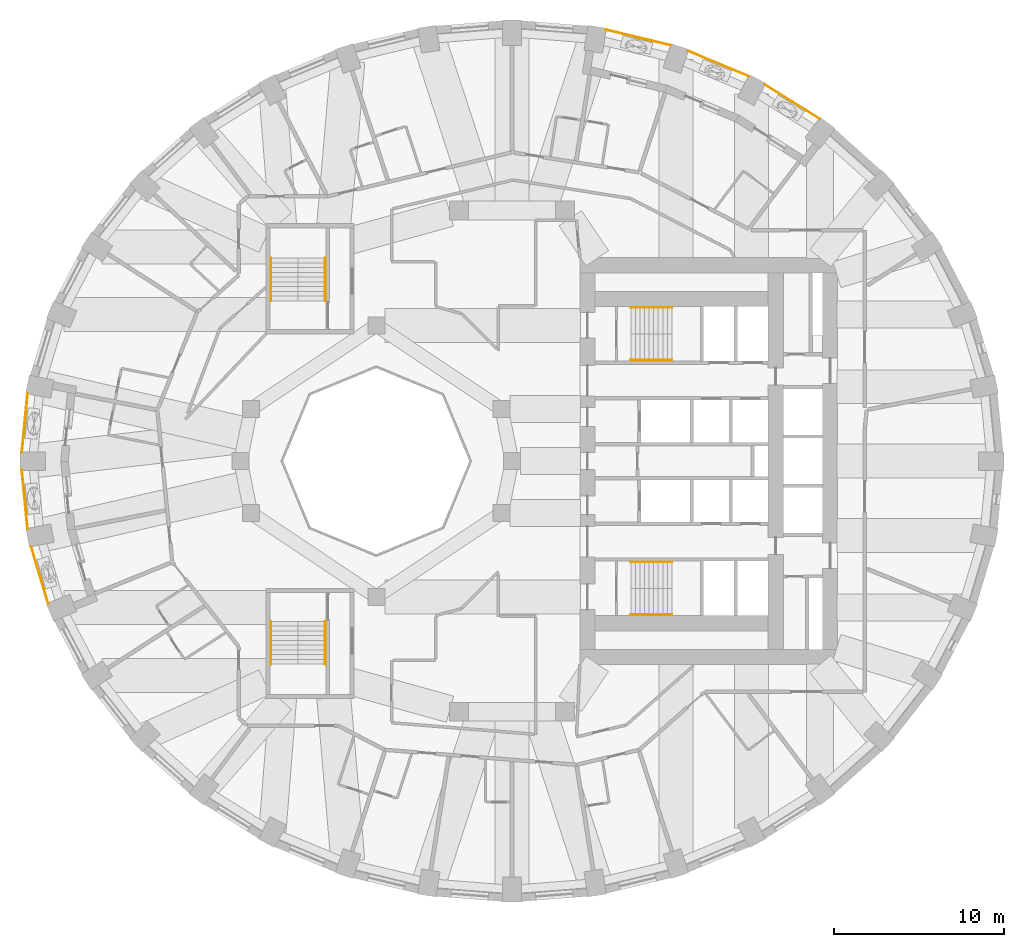
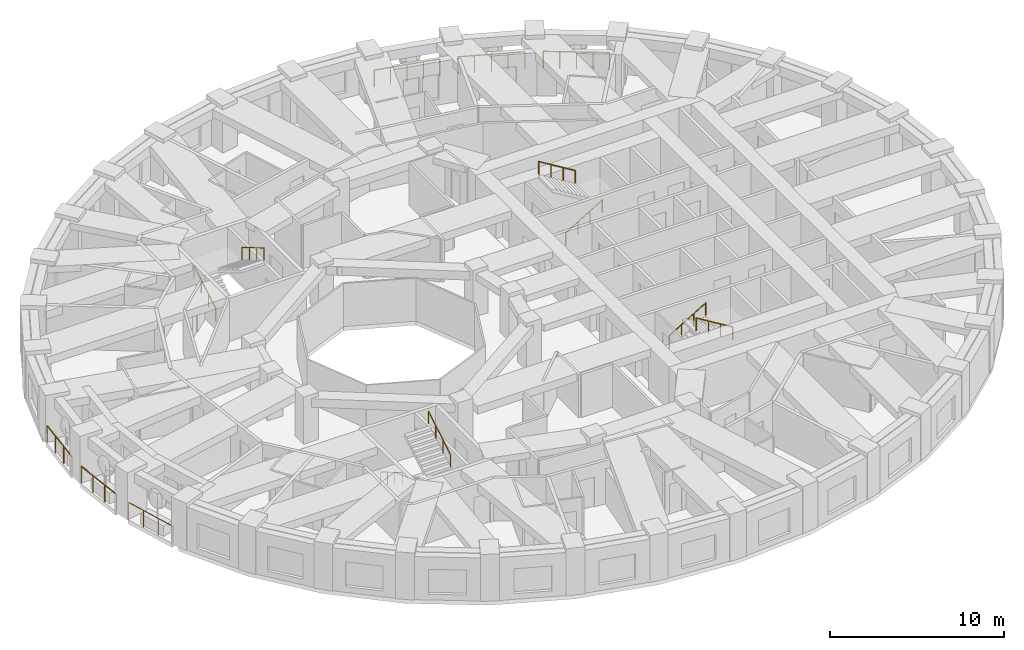
# One storey, part 11 of 13: 14 railings.
"""IFC4 building model written with IfcOpenShell, lengths in metres."""

from ifc_helpers import new_model, si_unit, direction, frame, origin, origin_2d, place, context, subcontext, project, spatial, circle, extrude, material, type_object, element, save


model = new_model("IFC4")

# Units and contexts
model_context = context("Model", 3, precision=1e-05, world=origin(), true_north=direction((0.0, 1.0)))
body_context = subcontext(model_context, "Body", "Model", "MODEL_VIEW")
ifc_project = project(units=[si_unit("LENGTHUNIT", "METRE"), si_unit("AREAUNIT", "SQUARE_METRE"), si_unit("VOLUMEUNIT", "CUBIC_METRE"), si_unit("PLANEANGLEUNIT", "RADIAN"), si_unit("MASSUNIT", "GRAM", prefix="KILO")], contexts=[model_context])

# Site, building, storey
site_placement = place(None, origin())
site = spatial("IfcSite", under=ifc_project, at=site_placement, CompositionType="ELEMENT")
building_placement = place(site_placement, origin())
building = spatial("IfcBuilding", under=site, at=building_placement, Name="Taillehof Tower", CompositionType="ELEMENT")
storey_placement = place(building_placement, frame((0.0, 0.0, 67.89990234375)))
storey = spatial("IfcBuildingStorey", under=building, at=storey_placement, Name="L18", CompositionType="ELEMENT", Elevation=67.89990234375)

# Railings
ifc_material_1 = material(Name="Stainless steel balustrade", Category="steel")
railing_type_1 = type_object("IfcRailingType", Name="Balcony guard 1200", PredefinedType="GUARDRAIL", material=ifc_material_1)
railing_1_placement = place(storey_placement, frame((-28.549560546875, 3.987548828125, 0.0)))
element("IfcRailing", 1, at=railing_1_placement, inside=storey, type_object=railing_type_1, Name="Balcony guard L18 bay 18", PredefinedType="GUARDRAIL", context=body_context, shape_type="SweptSolid", body=[
    extrude(circle(Radius=0.02392578125, at=origin_2d()), frame((0.0, 0.0, 1.17578125), z_axis=(-0.097402182783, -0.995245102871, 0.0), x_axis=(0.995245102871, -0.097402182783, 0.0)), (0.0, 0.0, 1.0), 3.47412109375),
    extrude(circle(Radius=0.02099609375, at=origin_2d()), origin(), (0.0, 0.0, 1.0), 1.15185546875),
    extrude(circle(Radius=0.02099609375, at=origin_2d()), frame((-0.11279296875, -1.152587890625, 0.0)), (0.0, 0.0, 1.0), 1.15185546875),
    extrude(circle(Radius=0.02099609375, at=origin_2d()), frame((-0.2255859375, -2.304931640625, 0.0)), (0.0, 0.0, 1.0), 1.15185546875),
    extrude(circle(Radius=0.02099609375, at=origin_2d()), frame((-0.33837890625, -3.45751953125, 0.0)), (0.0, 0.0, 1.0), 1.15185546875),
])
railing_2_placement = place(storey_placement, frame((-28.887939453125, -0.530029296875, 0.0)))
element("IfcRailing", 2, at=railing_2_placement, inside=storey, type_object=railing_type_1, Name="Balcony guard L18 bay 19", PredefinedType="GUARDRAIL", context=body_context, shape_type="SweptSolid", body=[
    extrude(circle(Radius=0.02392578125, at=origin_2d()), frame((0.0, 0.0, 1.17578125), z_axis=(0.097402182783, -0.995245102871, 0.0), x_axis=(0.995245102871, 0.097402182783, 0.0)), (0.0, 0.0, 1.0), 3.47412109375),
    extrude(circle(Radius=0.02099609375, at=origin_2d()), origin(), (0.0, 0.0, 1.0), 1.15185546875),
    extrude(circle(Radius=0.02099609375, at=origin_2d()), frame((0.11279296875, -1.152587890625, 0.0)), (0.0, 0.0, 1.0), 1.15185546875),
    extrude(circle(Radius=0.02099609375, at=origin_2d()), frame((0.2255859375, -2.304931640625, 0.0)), (0.0, 0.0, 1.0), 1.15185546875),
    extrude(circle(Radius=0.02099609375, at=origin_2d()), frame((0.33837890625, -3.45751953125, 0.0)), (0.0, 0.0, 1.0), 1.15185546875),
])
railing_3_placement = place(storey_placement, frame((-28.3447265625, -5.02783203125, 0.0)))
element("IfcRailing", 3, at=railing_3_placement, inside=storey, type_object=railing_type_1, Name="Balcony guard L18 bay 20", PredefinedType="GUARDRAIL", context=body_context, shape_type="SweptSolid", body=[
    extrude(circle(Radius=0.02392578125, at=origin_2d()), frame((0.0, 0.0, 1.17578125), z_axis=(0.287098668231, -0.957901015085, 0.0), x_axis=(0.957901015085, 0.287098668231, 0.0)), (0.0, 0.0, 1.0), 3.505126953125),
    extrude(circle(Radius=0.02099609375, at=origin_2d()), origin(), (0.0, 0.0, 1.0), 1.15185546875),
    extrude(circle(Radius=0.02099609375, at=origin_2d()), frame((0.33544921875, -1.119140625, 0.0)), (0.0, 0.0, 1.0), 1.15185546875),
    extrude(circle(Radius=0.02099609375, at=origin_2d()), frame((0.6708984375, -2.238525390625, 0.0)), (0.0, 0.0, 1.0), 1.15185546875),
    extrude(circle(Radius=0.02099609375, at=origin_2d()), frame((1.00634765625, -3.357666015625, 0.0)), (0.0, 0.0, 1.0), 1.15185546875),
])
railing_4_placement = place(storey_placement, frame((18.12255859375, 20.176025390625, 0.0)))
element("IfcRailing", 4, at=railing_4_placement, inside=storey, type_object=railing_type_1, Name="Balcony guard L18 bay 6", PredefinedType="GUARDRAIL", context=body_context, shape_type="SweptSolid", body=[
    extrude(circle(Radius=0.02392578125, at=origin_2d()), frame((0.0, 0.0, 1.17578125), z_axis=(-0.847656150947, 0.530545992127, 0.0), x_axis=(-0.530545992127, -0.847656150947, 0.0)), (0.0, 0.0, 1.0), 3.810302734375),
    extrude(circle(Radius=0.02099609375, at=origin_2d()), origin(), (0.0, 0.0, 1.0), 1.15185546875),
    extrude(circle(Radius=0.02099609375, at=origin_2d()), frame((-0.807373046875, 0.50537109375, 0.0)), (0.0, 0.0, 1.0), 1.15185546875),
    extrude(circle(Radius=0.02099609375, at=origin_2d()), frame((-1.61474609375, 1.0107421875, 0.0)), (0.0, 0.0, 1.0), 1.15185546875),
    extrude(circle(Radius=0.02099609375, at=origin_2d()), frame((-2.42236328125, 1.51611328125, 0.0)), (0.0, 0.0, 1.0), 1.15185546875),
    extrude(circle(Radius=0.02099609375, at=origin_2d()), frame((-3.229736328125, 2.021484375, 0.0)), (0.0, 0.0, 1.0), 1.15185546875),
])
railing_5_placement = place(storey_placement, frame((13.951171875, 22.684326171875, 0.0)))
element("IfcRailing", 5, at=railing_5_placement, inside=storey, type_object=railing_type_1, Name="Balcony guard L18 bay 7", PredefinedType="GUARDRAIL", context=body_context, shape_type="SweptSolid", body=[
    extrude(circle(Radius=0.02392578125, at=origin_2d()), frame((0.0, 0.0, 1.17578125), z_axis=(-0.923011806559, 0.384771627011, 0.0), x_axis=(-0.384771627011, -0.923011806559, 0.0)), (0.0, 0.0, 1.0), 3.88330078125),
    extrude(circle(Radius=0.02099609375, at=origin_2d()), origin(), (0.0, 0.0, 1.0), 1.15185546875),
    extrude(circle(Radius=0.02099609375, at=origin_2d()), frame((-0.89599609375, 0.37353515625, 0.0)), (0.0, 0.0, 1.0), 1.15185546875),
    extrude(circle(Radius=0.02099609375, at=origin_2d()), frame((-1.7919921875, 0.7470703125, 0.0)), (0.0, 0.0, 1.0), 1.15185546875),
    extrude(circle(Radius=0.02099609375, at=origin_2d()), frame((-2.688232421875, 1.12060546875, 0.0)), (0.0, 0.0, 1.0), 1.15185546875),
    extrude(circle(Radius=0.02099609375, at=origin_2d()), frame((-3.584228515625, 1.494140625, 0.0)), (0.0, 0.0, 1.0), 1.15185546875),
])
railing_6_placement = place(storey_placement, frame((9.35888671875, 24.5068359375, 0.0)))
element("IfcRailing", 6, at=railing_6_placement, inside=storey, type_object=railing_type_1, Name="Balcony guard L18 bay 8", PredefinedType="GUARDRAIL", context=body_context, shape_type="SweptSolid", body=[
    extrude(circle(Radius=0.02392578125, at=origin_2d()), frame((0.0, 0.0, 1.17578125), z_axis=(-0.972495275648, 0.232922602687, 0.0), x_axis=(-0.232922602687, -0.972495275648, 0.0)), (0.0, 0.0, 1.0), 3.93701171875),
    extrude(circle(Radius=0.02099609375, at=origin_2d()), origin(), (0.0, 0.0, 1.0), 1.15185546875),
    extrude(circle(Radius=0.02099609375, at=origin_2d()), frame((-0.95703125, 0.229248046875, 0.0)), (0.0, 0.0, 1.0), 1.15185546875),
    extrude(circle(Radius=0.02099609375, at=origin_2d()), frame((-1.914306640625, 0.45849609375, 0.0)), (0.0, 0.0, 1.0), 1.15185546875),
    extrude(circle(Radius=0.02099609375, at=origin_2d()), frame((-2.87158203125, 0.687744140625, 0.0)), (0.0, 0.0, 1.0), 1.15185546875),
    extrude(circle(Radius=0.02099609375, at=origin_2d()), frame((-3.82861328125, 0.9169921875, 0.0)), (0.0, 0.0, 1.0), 1.15185546875),
])
ifc_material_2 = material(Name="Stainless steel", Category="steel")
railing_type_2 = type_object("IfcRailingType", Name="Stair handrail 900", PredefinedType="HANDRAIL", material=ifc_material_2)
railing_7_placement = place(storey_placement, frame((7.0, 5.949951171875, 0.1650390625)))
element("IfcRailing", 7, at=railing_7_placement, inside=storey, type_object=railing_type_2, Name="Stair S1 handrail", PredefinedType="HANDRAIL", context=body_context, shape_type="SweptSolid", body=[
    extrude(circle(Radius=0.02392578125, at=origin_2d()), frame((0.0, 0.0, 0.8759765625), z_axis=(0.853258522278, 0.0, 0.521488153423), x_axis=(0.0, 1.0, 0.0)), (0.0, 0.0, 1.0), 2.847900390625),
    extrude(circle(Radius=0.02099609375, at=origin_2d()), origin(), (0.0, 0.0, 1.0), 0.851806640625),
    extrude(circle(Radius=0.02099609375, at=origin_2d()), frame((0.81005859375, 0.0, 0.4951171875)), (0.0, 0.0, 1.0), 0.851806640625),
    extrude(circle(Radius=0.02099609375, at=origin_2d()), frame((1.619873046875, 0.0, 0.989990234375)), (0.0, 0.0, 1.0), 0.851806640625),
    extrude(circle(Radius=0.02099609375, at=origin_2d()), frame((2.429931640625, 0.0, 1.485107421875)), (0.0, 0.0, 1.0), 0.851806640625),
])
railing_8_placement = place(storey_placement, frame((9.429931640625, 9.050048828125, 1.815185546875)))
element("IfcRailing", 8, at=railing_8_placement, inside=storey, type_object=railing_type_2, Name="Stair S1 handrail", PredefinedType="HANDRAIL", context=body_context, shape_type="SweptSolid", body=[
    extrude(circle(Radius=0.02392578125, at=origin_2d()), frame((0.0, 0.0, 0.8759765625), z_axis=(-0.853296667938, 0.0, 0.521425734392), x_axis=(0.0, -1.0, 0.0)), (0.0, 0.0, 1.0), 2.84765625),
    extrude(circle(Radius=0.02099609375, at=origin_2d()), origin(), (0.0, 0.0, 1.0), 0.851806640625),
    extrude(circle(Radius=0.02099609375, at=origin_2d()), frame((-0.81005859375, 0.0, 0.494873046875)), (0.0, 0.0, 1.0), 0.851806640625),
    extrude(circle(Radius=0.02099609375, at=origin_2d()), frame((-1.619873046875, 0.0, 0.989990234375)), (0.0, 0.0, 1.0), 0.851806640625),
    extrude(circle(Radius=0.02099609375, at=origin_2d()), frame((-2.429931640625, 0.0, 1.48486328125)), (0.0, 0.0, 1.0), 0.851806640625),
])
railing_9_placement = place(storey_placement, frame((7.0, -5.949951171875, 0.1650390625)))
element("IfcRailing", 9, at=railing_9_placement, inside=storey, type_object=railing_type_2, Name="Stair S2 handrail", PredefinedType="HANDRAIL", context=body_context, shape_type="SweptSolid", body=[
    extrude(circle(Radius=0.02392578125, at=origin_2d()), frame((0.0, 0.0, 0.8759765625), z_axis=(0.853258522278, 0.0, 0.521488153423), x_axis=(0.0, 1.0, 0.0)), (0.0, 0.0, 1.0), 2.847900390625),
    extrude(circle(Radius=0.02099609375, at=origin_2d()), origin(), (0.0, 0.0, 1.0), 0.851806640625),
    extrude(circle(Radius=0.02099609375, at=origin_2d()), frame((0.81005859375, 0.0, 0.4951171875)), (0.0, 0.0, 1.0), 0.851806640625),
    extrude(circle(Radius=0.02099609375, at=origin_2d()), frame((1.619873046875, 0.0, 0.989990234375)), (0.0, 0.0, 1.0), 0.851806640625),
    extrude(circle(Radius=0.02099609375, at=origin_2d()), frame((2.429931640625, 0.0, 1.485107421875)), (0.0, 0.0, 1.0), 0.851806640625),
])
railing_10_placement = place(storey_placement, frame((9.429931640625, -9.050048828125, 1.815185546875)))
element("IfcRailing", 10, at=railing_10_placement, inside=storey, type_object=railing_type_2, Name="Stair S2 handrail", PredefinedType="HANDRAIL", context=body_context, shape_type="SweptSolid", body=[
    extrude(circle(Radius=0.02392578125, at=origin_2d()), frame((0.0, 0.0, 0.8759765625), z_axis=(-0.853296667938, 0.0, 0.521425734392), x_axis=(0.0, -1.0, 0.0)), (0.0, 0.0, 1.0), 2.84765625),
    extrude(circle(Radius=0.02099609375, at=origin_2d()), origin(), (0.0, 0.0, 1.0), 0.851806640625),
    extrude(circle(Radius=0.02099609375, at=origin_2d()), frame((-0.81005859375, 0.0, 0.494873046875)), (0.0, 0.0, 1.0), 0.851806640625),
    extrude(circle(Radius=0.02099609375, at=origin_2d()), frame((-1.619873046875, 0.0, 0.989990234375)), (0.0, 0.0, 1.0), 0.851806640625),
    extrude(circle(Radius=0.02099609375, at=origin_2d()), frame((-2.429931640625, 0.0, 1.48486328125)), (0.0, 0.0, 1.0), 0.851806640625),
])
railing_11_placement = place(storey_placement, frame((-14.199951171875, 9.449951171875, 0.1650390625)))
element("IfcRailing", 11, at=railing_11_placement, inside=storey, type_object=railing_type_2, Name="Stair S3 handrail", PredefinedType="HANDRAIL", context=body_context, shape_type="SweptSolid", body=[
    extrude(circle(Radius=0.02392578125, at=origin_2d()), frame((0.0, 0.0, 0.8759765625), z_axis=(0.0, 0.86152411907, 0.507716645641), x_axis=(-1.0, 0.0, 0.0)), (0.0, 0.0, 1.0), 2.925048828125),
    extrude(circle(Radius=0.02099609375, at=origin_2d()), origin(), (0.0, 0.0, 1.0), 0.851806640625),
    extrude(circle(Radius=0.02099609375, at=origin_2d()), frame((0.0, 0.840087890625, 0.4951171875)), (0.0, 0.0, 1.0), 0.851806640625),
    extrude(circle(Radius=0.02099609375, at=origin_2d()), frame((0.0, 1.679931640625, 0.989990234375)), (0.0, 0.0, 1.0), 0.851806640625),
    extrude(circle(Radius=0.02099609375, at=origin_2d()), frame((0.0, 2.52001953125, 1.485107421875)), (0.0, 0.0, 1.0), 0.851806640625),
])
railing_12_placement = place(storey_placement, frame((-11.0, 11.969970703125, 1.815185546875)))
element("IfcRailing", 12, at=railing_12_placement, inside=storey, type_object=railing_type_2, Name="Stair S3 handrail", PredefinedType="HANDRAIL", context=body_context, shape_type="SweptSolid", body=[
    extrude(circle(Radius=0.02392578125, at=origin_2d()), frame((0.0, 0.0, 0.8759765625), z_axis=(0.0, -0.861560626758, 0.507654692109), x_axis=(1.0, 0.0, 0.0)), (0.0, 0.0, 1.0), 2.925048828125),
    extrude(circle(Radius=0.02099609375, at=origin_2d()), origin(), (0.0, 0.0, 1.0), 0.851806640625),
    extrude(circle(Radius=0.02099609375, at=origin_2d()), frame((0.0, -0.840087890625, 0.494873046875)), (0.0, 0.0, 1.0), 0.851806640625),
    extrude(circle(Radius=0.02099609375, at=origin_2d()), frame((0.0, -1.679931640625, 0.989990234375)), (0.0, 0.0, 1.0), 0.851806640625),
    extrude(circle(Radius=0.02099609375, at=origin_2d()), frame((0.0, -2.52001953125, 1.48486328125)), (0.0, 0.0, 1.0), 0.851806640625),
])
railing_13_placement = place(storey_placement, frame((-14.199951171875, -9.449951171875, 0.1650390625)))
element("IfcRailing", 13, at=railing_13_placement, inside=storey, type_object=railing_type_2, Name="Stair S4 handrail", PredefinedType="HANDRAIL", context=body_context, shape_type="SweptSolid", body=[
    extrude(circle(Radius=0.02392578125, at=origin_2d()), frame((0.0, 0.0, 0.8759765625), z_axis=(0.0, -0.86152411907, 0.507716645641), x_axis=(1.0, 0.0, 0.0)), (0.0, 0.0, 1.0), 2.925048828125),
    extrude(circle(Radius=0.02099609375, at=origin_2d()), origin(), (0.0, 0.0, 1.0), 0.851806640625),
    extrude(circle(Radius=0.02099609375, at=origin_2d()), frame((0.0, -0.840087890625, 0.4951171875)), (0.0, 0.0, 1.0), 0.851806640625),
    extrude(circle(Radius=0.02099609375, at=origin_2d()), frame((0.0, -1.679931640625, 0.989990234375)), (0.0, 0.0, 1.0), 0.851806640625),
    extrude(circle(Radius=0.02099609375, at=origin_2d()), frame((0.0, -2.52001953125, 1.485107421875)), (0.0, 0.0, 1.0), 0.851806640625),
])
railing_14_placement = place(storey_placement, frame((-11.0, -11.969970703125, 1.815185546875)))
element("IfcRailing", 14, at=railing_14_placement, inside=storey, type_object=railing_type_2, Name="Stair S4 handrail", PredefinedType="HANDRAIL", context=body_context, shape_type="SweptSolid", body=[
    extrude(circle(Radius=0.02392578125, at=origin_2d()), frame((0.0, 0.0, 0.8759765625), z_axis=(0.0, 0.861560626758, 0.507654692109), x_axis=(-1.0, 0.0, 0.0)), (0.0, 0.0, 1.0), 2.925048828125),
    extrude(circle(Radius=0.02099609375, at=origin_2d()), origin(), (0.0, 0.0, 1.0), 0.851806640625),
    extrude(circle(Radius=0.02099609375, at=origin_2d()), frame((0.0, 0.840087890625, 0.494873046875)), (0.0, 0.0, 1.0), 0.851806640625),
    extrude(circle(Radius=0.02099609375, at=origin_2d()), frame((0.0, 1.679931640625, 0.989990234375)), (0.0, 0.0, 1.0), 0.851806640625),
    extrude(circle(Radius=0.02099609375, at=origin_2d()), frame((0.0, 2.52001953125, 1.48486328125)), (0.0, 0.0, 1.0), 0.851806640625),
])

save(model, "model.ifc")
